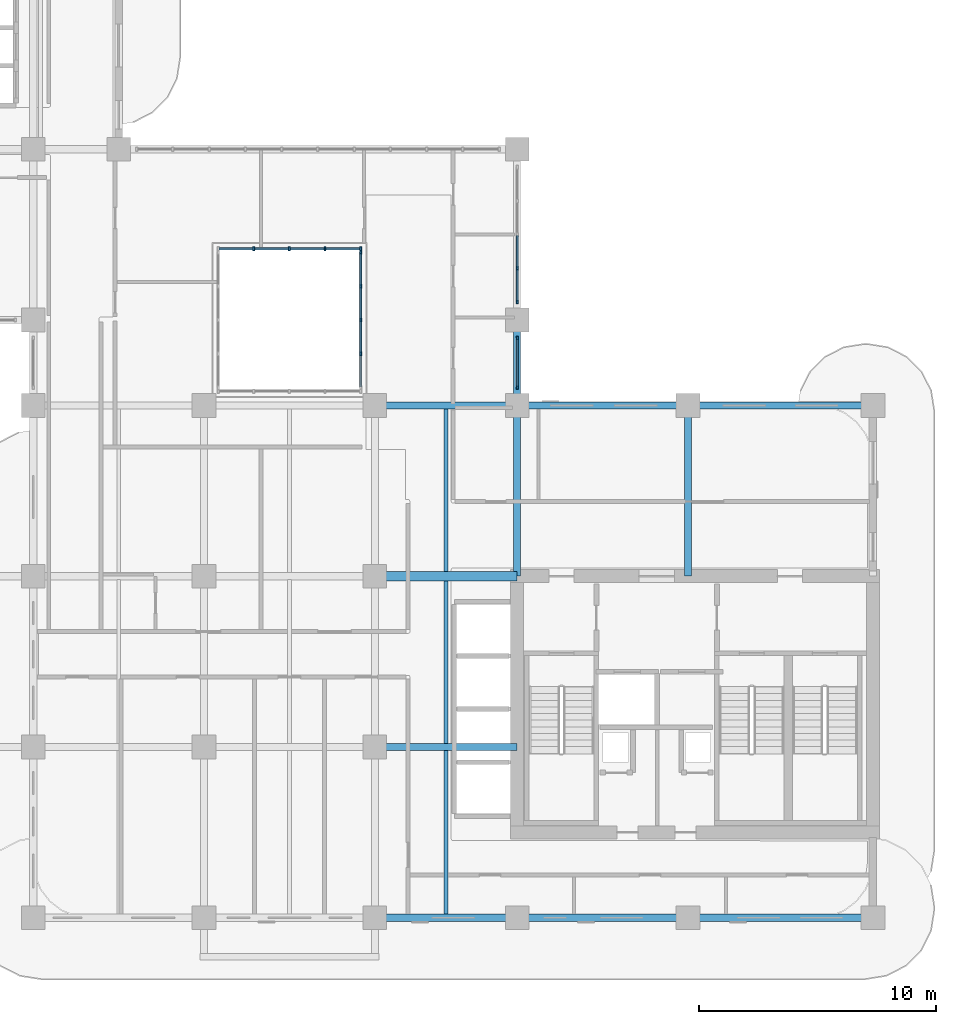
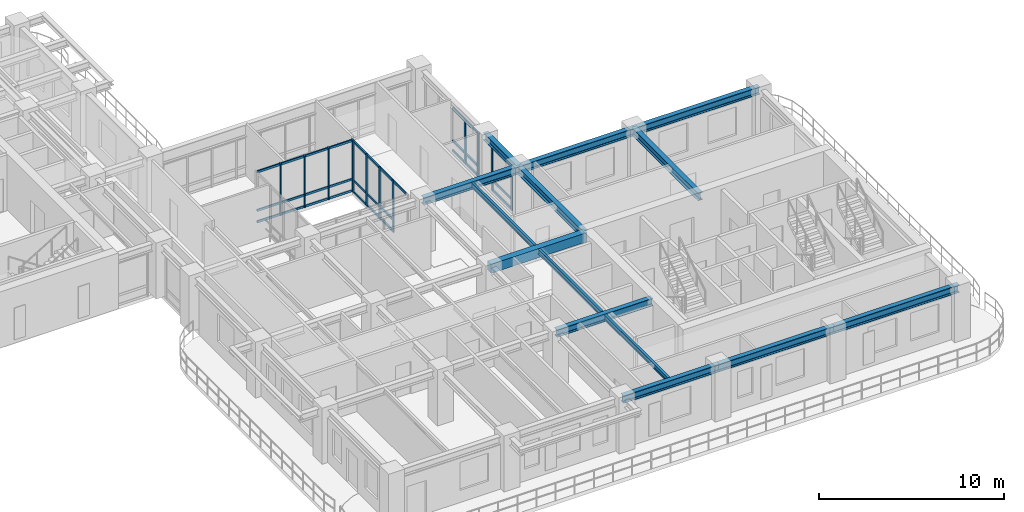
# One storey, part 3 of 20: 43 members, 14 beams, 4 elements without a shape of their own.
"""IFC4 building model written with IfcOpenShell, lengths in metres."""

from ifc_helpers import new_model, si_unit, derived_unit, direction, frame, origin, origin_2d, place, context, subcontext, project, spatial, rectangle, i_section, extrude, source, transform, mapped, material, layer, layer_set, material_profile, profile_set, type_object, type_shapes, element, aggregate, save


model = new_model("IFC4")

# Units and contexts
model_context = context("Model", 3, precision=1e-05, world=origin(), true_north=direction((0.0, 1.0)))
body_context = subcontext(model_context, "Body", "Model", "MODEL_VIEW")
ifc_project = project(units=[si_unit("LENGTHUNIT", "METRE"), si_unit("AREAUNIT", "SQUARE_METRE"), si_unit("VOLUMEUNIT", "CUBIC_METRE"), si_unit("PLANEANGLEUNIT", "RADIAN"), si_unit("MASSUNIT", "GRAM", prefix="KILO"), si_unit("THERMODYNAMICTEMPERATUREUNIT", "KELVIN"), si_unit("POWERUNIT", "WATT"), derived_unit("THERMALTRANSMITTANCEUNIT", [(si_unit("POWERUNIT", "WATT"), 1), (si_unit("AREAUNIT", "SQUARE_METRE"), -1), (si_unit("THERMODYNAMICTEMPERATUREUNIT", "KELVIN"), -1)])], contexts=[model_context])

# Site, building, storey
site_placement = place(None, origin())
site = spatial("IfcSite", under=ifc_project, at=site_placement, CompositionType="ELEMENT")
building_placement = place(site_placement, origin())
building = spatial("IfcBuilding", under=site, at=building_placement, Name="Zahravan Archway Hotel and Residences", CompositionType="ELEMENT")
storey_placement = place(building_placement, frame((0.0, 0.0, 137.699951171875)))
storey = spatial("IfcBuildingStorey", under=building, at=storey_placement, Name="L34", CompositionType="ELEMENT", Elevation=137.699951171875)

# Beams
ifc_material_1 = material(Name="Concrete C60/75", Category="concrete")
ifc_material_profile_1 = material_profile(ifc_material_1, rectangle(XDim=0.39990234375, YDim=0.60009765625, at=origin_2d()), Name="RC-LNT-400x600", Category="concrete")
ifc_profile_set_1 = profile_set([ifc_material_profile_1], Name="Concrete C60/75")
beam_type_1 = type_object("IfcBeamType", Name="LNT-RC-400x600", PredefinedType="LINTEL", material=ifc_profile_set_1)
shared_shape_1 = source(origin(), body_context, "Body", "SweptSolid", [
    extrude(rectangle(XDim=0.39990234375, YDim=0.60009765625, at=origin_2d()), origin(), (0.0, 0.0, 1.0), 6.0),
])
type_shapes(beam_type_1, [shared_shape_1])
beam_1_placement = place(storey_placement, frame((28.800048828125, 14.39990234375, 3.150146484375), z_axis=(1.0, 0.0, 0.0), x_axis=(0.0, 1.0, 0.0)))
element("IfcBeam", 1, at=beam_1_placement, inside=storey, type_object=beam_type_1, Name="L34 Core A Coupling Lintel Beam", PredefinedType="LINTEL", context=body_context, shape_type="MappedRepresentation", body=[
    mapped(shared_shape_1, transform((0.0, 0.0, 0.0), scale=1.0)),
])
ifc_material_2 = material(Name="Structural Steel S355JR", Category="steel")
ifc_material_profile_2 = material_profile(ifc_material_2, i_section(OverallWidth=0.300048828125, OverallDepth=0.5, WebThickness=0.014404296875, FlangeThickness=0.028076171875, FilletRadius=0.027099609375, at=origin_2d()), Name="HEB 500", Category="steel")
ifc_profile_set_2 = profile_set([ifc_material_profile_2], Name="Structural Steel S355JR")
beam_type_2 = type_object("IfcBeamType", Name="BM-PRI-HEB500", PredefinedType="BEAM", material=ifc_profile_set_2)
shared_shape_2 = source(origin(), body_context, "Body", "SweptSolid", [
    extrude(i_section(OverallWidth=0.300048828125, OverallDepth=0.5, WebThickness=0.014404296875, FlangeThickness=0.028076171875, FilletRadius=0.027099609375, at=origin_2d()), origin(), (0.0, 0.0, 1.0), 7.2001953125),
])
type_shapes(beam_type_2, [shared_shape_2])
for number, where, z_axis, x_axis, name in (
    (2, (34.800048828125, 14.39990234375, 3.199951171875), (0.0, 1.0, 0.0), (-1.0, 0.0, 0.0), "L34 Primary Girder NS-41"),
    (3, (42.0, 14.39990234375, 3.199951171875), (0.0, 1.0, 0.0), (-1.0, 0.0, 0.0), "L34 Primary Girder NS-44"),
):
    element("IfcBeam", number, at=place(storey_placement, frame(where, z_axis=z_axis, x_axis=x_axis)), inside=storey, type_object=beam_type_2, Name=name, PredefinedType="BEAM", context=body_context, shape_type="MappedRepresentation", body=[
        mapped(shared_shape_2, transform((0.0, 0.0, 0.0), scale=1.0)),
    ])
shared_shape_3 = source(origin(), body_context, "Body", "SweptSolid", [
    extrude(i_section(OverallWidth=0.300048828125, OverallDepth=0.5, WebThickness=0.014404296875, FlangeThickness=0.028076171875, FilletRadius=0.027099609375, at=origin_2d()), origin(), (0.0, 0.0, 1.0), 7.199951171875),
])
for number, where, z_axis, x_axis, name in (
    (4, (34.800048828125, 0.0, 3.199951171875), (1.0, 0.0, 0.0), (0.0, 1.0, 0.0), "L34 Primary Girder EW-04"),
    (5, (34.800048828125, 21.60009765625, 3.199951171875), (1.0, 0.0, 0.0), (0.0, 1.0, 0.0), "L34 Primary Girder EW-14"),
):
    element("IfcBeam", number, at=place(storey_placement, frame(where, z_axis=z_axis, x_axis=x_axis)), inside=storey, type_object=beam_type_2, Name=name, PredefinedType="BEAM", context=body_context, shape_type="MappedRepresentation", body=[
        mapped(shared_shape_3, transform((0.0, 0.0, 0.0), scale=1.0)),
    ])
shared_shape_4 = source(origin(), body_context, "Body", "SweptSolid", [
    extrude(i_section(OverallWidth=0.300048828125, OverallDepth=0.5, WebThickness=0.014404296875, FlangeThickness=0.028076171875, FilletRadius=0.027099609375, at=origin_2d()), origin(), (0.0, 0.0, 1.0), 6.0),
])
for number, where, z_axis, x_axis, name in (
    (6, (28.800048828125, 0.0, 3.199951171875), (1.0, 0.0, 0.0), (0.0, 1.0, 0.0), "L34 Primary Girder EW-03"),
    (7, (28.800048828125, 7.199951171875, 3.199951171875), (1.0, 0.0, 0.0), (0.0, 1.0, 0.0), "L34 Primary Girder EW-08"),
    (8, (28.800048828125, 21.60009765625, 3.199951171875), (1.0, 0.0, 0.0), (0.0, 1.0, 0.0), "L34 Primary Girder EW-13"),
):
    element("IfcBeam", number, at=place(storey_placement, frame(where, z_axis=z_axis, x_axis=x_axis)), inside=storey, type_object=beam_type_2, Name=name, PredefinedType="BEAM", context=body_context, shape_type="MappedRepresentation", body=[
        mapped(shared_shape_4, transform((0.0, 0.0, 0.0), scale=1.0)),
    ])
shared_shape_5 = source(origin(), body_context, "Body", "SweptSolid", [
    extrude(i_section(OverallWidth=0.300048828125, OverallDepth=0.5, WebThickness=0.014404296875, FlangeThickness=0.028076171875, FilletRadius=0.027099609375, at=origin_2d()), origin(), (0.0, 0.0, 1.0), 7.800048828125),
])
for number, where, z_axis, x_axis, name in (
    (9, (42.0, 0.0, 3.199951171875), (1.0, 0.0, 0.0), (0.0, 1.0, 0.0), "L34 Primary Girder EW-05"),
    (10, (42.0, 21.60009765625, 3.199951171875), (1.0, 0.0, 0.0), (0.0, 1.0, 0.0), "L34 Primary Girder EW-15"),
):
    element("IfcBeam", number, at=place(storey_placement, frame(where, z_axis=z_axis, x_axis=x_axis)), inside=storey, type_object=beam_type_2, Name=name, PredefinedType="BEAM", context=body_context, shape_type="MappedRepresentation", body=[
        mapped(shared_shape_5, transform((0.0, 0.0, 0.0), scale=1.0)),
    ])
shared_shape_6 = source(origin(), body_context, "Body", "SweptSolid", [
    extrude(i_section(OverallWidth=0.300048828125, OverallDepth=0.5, WebThickness=0.014404296875, FlangeThickness=0.028076171875, FilletRadius=0.027099609375, at=origin_2d()), origin(), (0.0, 0.0, 1.0), 3.599853515625),
])
beam_2_placement = place(storey_placement, frame((34.800048828125, 21.60009765625, 3.199951171875), z_axis=(0.0, 1.0, 0.0), x_axis=(-1.0, 0.0, 0.0)))
element("IfcBeam", 11, at=beam_2_placement, inside=storey, type_object=beam_type_2, Name="L34 Primary Girder NS-42", PredefinedType="BEAM", context=body_context, shape_type="MappedRepresentation", body=[
    mapped(shared_shape_6, transform((0.0, 0.0, 0.0), scale=1.0)),
])
ifc_material_profile_3 = material_profile(ifc_material_2, i_section(OverallWidth=0.159912109375, OverallDepth=0.330078125, WebThickness=0.007568359375, FlangeThickness=0.011474609375, FilletRadius=0.01806640625, at=origin_2d()), Name="IPE 330", Category="steel")
ifc_profile_set_3 = profile_set([ifc_material_profile_3], Name="Structural Steel S355JR")
beam_type_3 = type_object("IfcBeamType", Name="BM-JST-IPE330", PredefinedType="JOIST", material=ifc_profile_set_3)
shared_shape_7 = source(origin(), body_context, "Body", "SweptSolid", [
    extrude(i_section(OverallWidth=0.159912109375, OverallDepth=0.330078125, WebThickness=0.007568359375, FlangeThickness=0.011474609375, FilletRadius=0.01806640625, at=origin_2d()), origin(), (0.0, 0.0, 1.0), 6.904052734375),
])
type_shapes(beam_type_3, [shared_shape_7])
beam_3_placement = place(storey_placement, frame((31.800048828125, 0.14794921875, 3.28515625), z_axis=(0.0, 1.0, 0.0), x_axis=(-1.0, 0.0, 0.0)))
element("IfcBeam", 12, at=beam_3_placement, inside=storey, type_object=beam_type_3, Name="L34 Composite Floor Joist 03", PredefinedType="JOIST", context=body_context, shape_type="MappedRepresentation", body=[
    mapped(shared_shape_7, transform((0.0, 0.0, 0.0), scale=1.0)),
])
shared_shape_8 = source(origin(), body_context, "Body", "SweptSolid", [
    extrude(i_section(OverallWidth=0.159912109375, OverallDepth=0.330078125, WebThickness=0.007568359375, FlangeThickness=0.011474609375, FilletRadius=0.01806640625, at=origin_2d()), origin(), (0.0, 0.0, 1.0), 6.85400390625),
])
for number, where, z_axis, x_axis, name in (
    (13, (31.800048828125, 7.347900390625, 3.28515625), (0.0, 1.0, 0.0), (-1.0, 0.0, 0.0), "L34 Composite Floor Joist 06"),
    (14, (31.800048828125, 14.597900390625, 3.28515625), (0.0, 1.0, 0.0), (-1.0, 0.0, 0.0), "L34 Composite Floor Joist 07"),
):
    element("IfcBeam", number, at=place(storey_placement, frame(where, z_axis=z_axis, x_axis=x_axis)), inside=storey, type_object=beam_type_3, Name=name, PredefinedType="JOIST", context=body_context, shape_type="MappedRepresentation", body=[
        mapped(shared_shape_8, transform((0.0, 0.0, 0.0), scale=1.0)),
    ])

# Curtain wall, members
ifc_material_3 = material(Name="Bronze-Anodized Unitised Aluminium & Low-E Glass", Category="aluminium")
ifc_layer = layer(ifc_material_3, 0.179931640625, Name="Bronze-Anodized Unitised Aluminium & Low-E Glass", Category="aluminium")
ifc_layer_set = layer_set([ifc_layer], Name="Bronze-Anodized Unitised Aluminium & Low-E Glass")
curtain_wall_type = type_object("IfcCurtainWallType", Name="CW-ATR-GLAZ", PredefinedType="NOTDEFINED", material=ifc_layer_set)
curtain_wall_1_placement = place(storey_placement, origin())
curtain_wall_1 = element("IfcCurtainWall", 15, at=curtain_wall_1_placement, inside=storey, type_object=curtain_wall_type, Name="L34 Curtain Wall CW-L34-HNG-E-2", PredefinedType="NOTDEFINED")
ifc_material_4 = material(Name="Bronze-Anodized Extruded Aluminium", Category="aluminium")
ifc_material_profile_4 = material_profile(ifc_material_4, rectangle(XDim=0.080078125, YDim=0.139892578125, at=origin_2d()), Name="TRN 80x140", Category="aluminium")
ifc_profile_set_4 = profile_set([ifc_material_profile_4], Name="Bronze-Anodized Extruded Aluminium")
member_type_1 = type_object("IfcMemberType", Name="CWM-TRN-140", PredefinedType="USERDEFINED", material=ifc_profile_set_4)
shared_shape_9 = source(origin(), body_context, "Body", "SweptSolid", [
    extrude(rectangle(XDim=0.080078125, YDim=0.139892578125, at=origin_2d()), origin(), (0.0, 0.0, 1.0), 1.340087890625),
])
member_1_placement = place(storey_placement, frame((34.800048828125, 26.0, 0.070068359375), z_axis=(0.0, 1.0, 0.0), x_axis=(-1.0, 0.0, 0.0)))
member_1 = element("IfcMember", 16, at=member_1_placement, type_object=member_type_1, Name="CW-L34-HNG-E-2 Transom 0-1", ObjectType="TRANSOM", PredefinedType="USERDEFINED", context=body_context, shape_type="MappedRepresentation", body=[
    mapped(shared_shape_9, transform((0.0, 0.0, 0.0), scale=1.0)),
])
member_2_placement = place(storey_placement, frame((34.800048828125, 26.0, 0.704345703125), z_axis=(0.0, 1.0, 0.0), x_axis=(-1.0, 0.0, 0.0)))
member_2 = element("IfcMember", 17, at=member_2_placement, type_object=member_type_1, Name="CW-L34-HNG-E-2 Transom 0-2", ObjectType="TRANSOM", PredefinedType="USERDEFINED", context=body_context, shape_type="MappedRepresentation", body=[
    mapped(shared_shape_9, transform((0.0, 0.0, 0.0), scale=1.0)),
])
member_3_placement = place(storey_placement, frame((34.800048828125, 26.0, 2.864990234375), z_axis=(0.0, 1.0, 0.0), x_axis=(-1.0, 0.0, 0.0)))
member_3 = element("IfcMember", 18, at=member_3_placement, type_object=member_type_1, Name="CW-L34-HNG-E-2 Transom 0-3", ObjectType="TRANSOM", PredefinedType="USERDEFINED", context=body_context, shape_type="MappedRepresentation", body=[
    mapped(shared_shape_9, transform((0.0, 0.0, 0.0), scale=1.0)),
])
member_4_placement = place(storey_placement, frame((34.800048828125, 27.419921875, 0.070068359375), z_axis=(0.0, 1.0, 0.0), x_axis=(-1.0, 0.0, 0.0)))
member_4 = element("IfcMember", 19, at=member_4_placement, type_object=member_type_1, Name="CW-L34-HNG-E-2 Transom 1-1", ObjectType="TRANSOM", PredefinedType="USERDEFINED", context=body_context, shape_type="MappedRepresentation", body=[
    mapped(shared_shape_9, transform((0.0, 0.0, 0.0), scale=1.0)),
])
member_5_placement = place(storey_placement, frame((34.800048828125, 27.419921875, 0.704345703125), z_axis=(0.0, 1.0, 0.0), x_axis=(-1.0, 0.0, 0.0)))
member_5 = element("IfcMember", 20, at=member_5_placement, type_object=member_type_1, Name="CW-L34-HNG-E-2 Transom 1-2", ObjectType="TRANSOM", PredefinedType="USERDEFINED", context=body_context, shape_type="MappedRepresentation", body=[
    mapped(shared_shape_9, transform((0.0, 0.0, 0.0), scale=1.0)),
])
member_6_placement = place(storey_placement, frame((34.800048828125, 27.419921875, 2.864990234375), z_axis=(0.0, 1.0, 0.0), x_axis=(-1.0, 0.0, 0.0)))
member_6 = element("IfcMember", 21, at=member_6_placement, type_object=member_type_1, Name="CW-L34-HNG-E-2 Transom 1-3", ObjectType="TRANSOM", PredefinedType="USERDEFINED", context=body_context, shape_type="MappedRepresentation", body=[
    mapped(shared_shape_9, transform((0.0, 0.0, 0.0), scale=1.0)),
])

curtain_wall_2_placement = place(storey_placement, origin())
curtain_wall_2 = element("IfcCurtainWall", 22, at=curtain_wall_2_placement, inside=storey, type_object=curtain_wall_type, Name="L34 Curtain Wall CW-L34-HNG-E-1", PredefinedType="NOTDEFINED")
shared_shape_10 = source(origin(), body_context, "Body", "SweptSolid", [
    extrude(rectangle(XDim=0.080078125, YDim=0.139892578125, at=origin_2d()), origin(), (0.0, 0.0, 1.0), 2.0),
])
member_7_placement = place(storey_placement, frame((34.800048828125, 22.39990234375, 0.070068359375), z_axis=(0.0, 1.0, 0.0), x_axis=(-1.0, 0.0, 0.0)))
member_7 = element("IfcMember", 23, at=member_7_placement, type_object=member_type_1, Name="CW-L34-HNG-E-1 Transom 0-1", ObjectType="TRANSOM", PredefinedType="USERDEFINED", context=body_context, shape_type="MappedRepresentation", body=[
    mapped(shared_shape_10, transform((0.0, 0.0, 0.0), scale=1.0)),
])
member_8_placement = place(storey_placement, frame((34.800048828125, 22.39990234375, 0.704345703125), z_axis=(0.0, 1.0, 0.0), x_axis=(-1.0, 0.0, 0.0)))
member_8 = element("IfcMember", 24, at=member_8_placement, type_object=member_type_1, Name="CW-L34-HNG-E-1 Transom 0-2", ObjectType="TRANSOM", PredefinedType="USERDEFINED", context=body_context, shape_type="MappedRepresentation", body=[
    mapped(shared_shape_10, transform((0.0, 0.0, 0.0), scale=1.0)),
])
member_9_placement = place(storey_placement, frame((34.800048828125, 22.39990234375, 2.864990234375), z_axis=(0.0, 1.0, 0.0), x_axis=(-1.0, 0.0, 0.0)))
member_9 = element("IfcMember", 25, at=member_9_placement, type_object=member_type_1, Name="CW-L34-HNG-E-1 Transom 0-3", ObjectType="TRANSOM", PredefinedType="USERDEFINED", context=body_context, shape_type="MappedRepresentation", body=[
    mapped(shared_shape_10, transform((0.0, 0.0, 0.0), scale=1.0)),
])

curtain_wall_3_placement = place(storey_placement, origin())
curtain_wall_3 = element("IfcCurtainWall", 26, at=curtain_wall_3_placement, inside=storey, type_object=curtain_wall_type, Name="L34 Curtain Wall CW-ATR-L34-N-1", PredefinedType="NOTDEFINED")
ifc_material_profile_5 = material_profile(ifc_material_4, rectangle(XDim=0.080078125, YDim=0.159912109375, at=origin_2d()), Name="MUL 80x160", Category="aluminium")
ifc_profile_set_5 = profile_set([ifc_material_profile_5], Name="Bronze-Anodized Extruded Aluminium")
member_type_2 = type_object("IfcMemberType", Name="CWM-MUL-160", PredefinedType="MULLION", material=ifc_profile_set_5)
shared_shape_11 = source(origin(), body_context, "Body", "SweptSolid", [
    extrude(rectangle(XDim=0.080078125, YDim=0.159912109375, at=origin_2d()), origin(), (0.0, 0.0, 1.0), 3.449951171875),
])
member_10_placement = place(storey_placement, frame((23.699951171875, 28.199951171875, 0.0), z_axis=(0.0, 0.0, 1.0), x_axis=(1.0, 0.0, 0.0)))
member_10 = element("IfcMember", 27, at=member_10_placement, type_object=member_type_2, Name="CW-ATR-L34-N-1 Mullion 1", PredefinedType="MULLION", context=body_context, shape_type="MappedRepresentation", body=[
    mapped(shared_shape_11, transform((0.0, 0.0, 0.0), scale=1.0)),
])
member_11_placement = place(storey_placement, frame((25.199951171875, 28.199951171875, 0.0), z_axis=(0.0, 0.0, 1.0), x_axis=(1.0, 0.0, 0.0)))
member_11 = element("IfcMember", 28, at=member_11_placement, type_object=member_type_2, Name="CW-ATR-L34-N-1 Mullion 2", PredefinedType="MULLION", context=body_context, shape_type="MappedRepresentation", body=[
    mapped(shared_shape_11, transform((0.0, 0.0, 0.0), scale=1.0)),
])
member_12_placement = place(storey_placement, frame((26.699951171875, 28.199951171875, 0.0), z_axis=(0.0, 0.0, 1.0), x_axis=(1.0, 0.0, 0.0)))
member_12 = element("IfcMember", 29, at=member_12_placement, type_object=member_type_2, Name="CW-ATR-L34-N-1 Mullion 3", PredefinedType="MULLION", context=body_context, shape_type="MappedRepresentation", body=[
    mapped(shared_shape_11, transform((0.0, 0.0, 0.0), scale=1.0)),
])
member_13_placement = place(storey_placement, frame((28.199951171875, 28.199951171875, 0.0), z_axis=(0.0, 0.0, 1.0), x_axis=(1.0, 0.0, 0.0)))
member_13 = element("IfcMember", 30, at=member_13_placement, type_object=member_type_2, Name="CW-ATR-L34-N-1 Mullion 4", PredefinedType="MULLION", context=body_context, shape_type="MappedRepresentation", body=[
    mapped(shared_shape_11, transform((0.0, 0.0, 0.0), scale=1.0)),
])

curtain_wall_4_placement = place(storey_placement, origin())
curtain_wall_4 = element("IfcCurtainWall", 31, at=curtain_wall_4_placement, inside=storey, type_object=curtain_wall_type, Name="L34 Curtain Wall CW-ATR-L34-E-1", PredefinedType="NOTDEFINED")
member_14_placement = place(storey_placement, frame((28.199951171875, 23.77490234375, 0.0), z_axis=(0.0, 0.0, 1.0), x_axis=(1.0, 0.0, 0.0)))
member_14 = element("IfcMember", 32, at=member_14_placement, type_object=member_type_2, Name="CW-ATR-L34-E-1 Mullion 1", PredefinedType="MULLION", context=body_context, shape_type="MappedRepresentation", body=[
    mapped(shared_shape_11, transform((0.0, 0.0, 0.0), scale=1.0)),
])
member_15_placement = place(storey_placement, frame((28.199951171875, 25.199951171875, 0.0), z_axis=(0.0, 0.0, 1.0), x_axis=(1.0, 0.0, 0.0)))
member_15 = element("IfcMember", 33, at=member_15_placement, type_object=member_type_2, Name="CW-ATR-L34-E-1 Mullion 2", PredefinedType="MULLION", context=body_context, shape_type="MappedRepresentation", body=[
    mapped(shared_shape_11, transform((0.0, 0.0, 0.0), scale=1.0)),
])
member_16_placement = place(storey_placement, frame((28.199951171875, 26.625, 0.0), z_axis=(0.0, 0.0, 1.0), x_axis=(1.0, 0.0, 0.0)))
member_16 = element("IfcMember", 34, at=member_16_placement, type_object=member_type_2, Name="CW-ATR-L34-E-1 Mullion 3", PredefinedType="MULLION", context=body_context, shape_type="MappedRepresentation", body=[
    mapped(shared_shape_11, transform((0.0, 0.0, 0.0), scale=1.0)),
])
member_17_placement = place(storey_placement, frame((28.199951171875, 28.050048828125, 0.0), z_axis=(0.0, 0.0, 1.0), x_axis=(1.0, 0.0, 0.0)))
member_17 = element("IfcMember", 35, at=member_17_placement, type_object=member_type_2, Name="CW-ATR-L34-E-1 Mullion 4", PredefinedType="MULLION", context=body_context, shape_type="MappedRepresentation", body=[
    mapped(shared_shape_11, transform((0.0, 0.0, 0.0), scale=1.0)),
])

# Member
shared_shape_12 = source(origin(), body_context, "Body", "SweptSolid", [
    extrude(rectangle(XDim=0.080078125, YDim=0.139892578125, at=origin_2d()), origin(), (0.0, 0.0, 1.0), 1.419921875),
])
member_18_placement = place(storey_placement, frame((22.239990234375, 28.199951171875, 0.070068359375), z_axis=(1.0, 0.0, 0.0), x_axis=(0.0, 1.0, 0.0)))
member_18 = element("IfcMember", 36, at=member_18_placement, type_object=member_type_1, Name="CW-ATR-L34-N-1 Transom 0-1", ObjectType="TRANSOM", PredefinedType="USERDEFINED", context=body_context, shape_type="MappedRepresentation", body=[
    mapped(shared_shape_12, transform((0.0, 0.0, 0.0), scale=1.0)),
])

member_19_placement = place(storey_placement, frame((22.239990234375, 28.199951171875, 0.828125), z_axis=(1.0, 0.0, 0.0), x_axis=(0.0, 1.0, 0.0)))
member_19 = element("IfcMember", 37, at=member_19_placement, type_object=member_type_1, Name="CW-ATR-L34-N-1 Transom 0-2", ObjectType="TRANSOM", PredefinedType="USERDEFINED", context=body_context, shape_type="MappedRepresentation", body=[
    mapped(shared_shape_12, transform((0.0, 0.0, 0.0), scale=1.0)),
])

member_20_placement = place(storey_placement, frame((22.239990234375, 28.199951171875, 3.380126953125), z_axis=(1.0, 0.0, 0.0), x_axis=(0.0, 1.0, 0.0)))
member_20 = element("IfcMember", 38, at=member_20_placement, type_object=member_type_1, Name="CW-ATR-L34-N-1 Transom 0-3", ObjectType="TRANSOM", PredefinedType="USERDEFINED", context=body_context, shape_type="MappedRepresentation", body=[
    mapped(shared_shape_12, transform((0.0, 0.0, 0.0), scale=1.0)),
])

member_21_placement = place(storey_placement, frame((23.739990234375, 28.199951171875, 0.070068359375), z_axis=(1.0, 0.0, 0.0), x_axis=(0.0, 1.0, 0.0)))
member_21 = element("IfcMember", 39, at=member_21_placement, type_object=member_type_1, Name="CW-ATR-L34-N-1 Transom 1-1", ObjectType="TRANSOM", PredefinedType="USERDEFINED", context=body_context, shape_type="MappedRepresentation", body=[
    mapped(shared_shape_12, transform((0.0, 0.0, 0.0), scale=1.0)),
])

member_22_placement = place(storey_placement, frame((23.739990234375, 28.199951171875, 0.828125), z_axis=(1.0, 0.0, 0.0), x_axis=(0.0, 1.0, 0.0)))
member_22 = element("IfcMember", 40, at=member_22_placement, type_object=member_type_1, Name="CW-ATR-L34-N-1 Transom 1-2", ObjectType="TRANSOM", PredefinedType="USERDEFINED", context=body_context, shape_type="MappedRepresentation", body=[
    mapped(shared_shape_12, transform((0.0, 0.0, 0.0), scale=1.0)),
])

member_23_placement = place(storey_placement, frame((23.739990234375, 28.199951171875, 3.380126953125), z_axis=(1.0, 0.0, 0.0), x_axis=(0.0, 1.0, 0.0)))
member_23 = element("IfcMember", 41, at=member_23_placement, type_object=member_type_1, Name="CW-ATR-L34-N-1 Transom 1-3", ObjectType="TRANSOM", PredefinedType="USERDEFINED", context=body_context, shape_type="MappedRepresentation", body=[
    mapped(shared_shape_12, transform((0.0, 0.0, 0.0), scale=1.0)),
])

member_24_placement = place(storey_placement, frame((25.239990234375, 28.199951171875, 0.070068359375), z_axis=(1.0, 0.0, 0.0), x_axis=(0.0, 1.0, 0.0)))
member_24 = element("IfcMember", 42, at=member_24_placement, type_object=member_type_1, Name="CW-ATR-L34-N-1 Transom 2-1", ObjectType="TRANSOM", PredefinedType="USERDEFINED", context=body_context, shape_type="MappedRepresentation", body=[
    mapped(shared_shape_12, transform((0.0, 0.0, 0.0), scale=1.0)),
])

member_25_placement = place(storey_placement, frame((25.239990234375, 28.199951171875, 0.828125), z_axis=(1.0, 0.0, 0.0), x_axis=(0.0, 1.0, 0.0)))
member_25 = element("IfcMember", 43, at=member_25_placement, type_object=member_type_1, Name="CW-ATR-L34-N-1 Transom 2-2", ObjectType="TRANSOM", PredefinedType="USERDEFINED", context=body_context, shape_type="MappedRepresentation", body=[
    mapped(shared_shape_12, transform((0.0, 0.0, 0.0), scale=1.0)),
])

member_26_placement = place(storey_placement, frame((25.239990234375, 28.199951171875, 3.380126953125), z_axis=(1.0, 0.0, 0.0), x_axis=(0.0, 1.0, 0.0)))
member_26 = element("IfcMember", 44, at=member_26_placement, type_object=member_type_1, Name="CW-ATR-L34-N-1 Transom 2-3", ObjectType="TRANSOM", PredefinedType="USERDEFINED", context=body_context, shape_type="MappedRepresentation", body=[
    mapped(shared_shape_12, transform((0.0, 0.0, 0.0), scale=1.0)),
])

member_27_placement = place(storey_placement, frame((26.739990234375, 28.199951171875, 0.070068359375), z_axis=(1.0, 0.0, 0.0), x_axis=(0.0, 1.0, 0.0)))
member_27 = element("IfcMember", 45, at=member_27_placement, type_object=member_type_1, Name="CW-ATR-L34-N-1 Transom 3-1", ObjectType="TRANSOM", PredefinedType="USERDEFINED", context=body_context, shape_type="MappedRepresentation", body=[
    mapped(shared_shape_12, transform((0.0, 0.0, 0.0), scale=1.0)),
])

member_28_placement = place(storey_placement, frame((26.739990234375, 28.199951171875, 0.828125), z_axis=(1.0, 0.0, 0.0), x_axis=(0.0, 1.0, 0.0)))
member_28 = element("IfcMember", 46, at=member_28_placement, type_object=member_type_1, Name="CW-ATR-L34-N-1 Transom 3-2", ObjectType="TRANSOM", PredefinedType="USERDEFINED", context=body_context, shape_type="MappedRepresentation", body=[
    mapped(shared_shape_12, transform((0.0, 0.0, 0.0), scale=1.0)),
])

member_29_placement = place(storey_placement, frame((26.739990234375, 28.199951171875, 3.380126953125), z_axis=(1.0, 0.0, 0.0), x_axis=(0.0, 1.0, 0.0)))
member_29 = element("IfcMember", 47, at=member_29_placement, type_object=member_type_1, Name="CW-ATR-L34-N-1 Transom 3-3", ObjectType="TRANSOM", PredefinedType="USERDEFINED", context=body_context, shape_type="MappedRepresentation", body=[
    mapped(shared_shape_12, transform((0.0, 0.0, 0.0), scale=1.0)),
])

aggregate(curtain_wall_3, [member_10, member_11, member_12, member_13, member_18, member_19, member_20, member_21, member_22, member_23, member_24, member_25, member_26, member_27, member_28, member_29])

shared_shape_13 = source(origin(), body_context, "Body", "SweptSolid", [
    extrude(rectangle(XDim=0.080078125, YDim=0.139892578125, at=origin_2d()), origin(), (0.0, 0.0, 1.0), 1.34521484375),
])
member_30_placement = place(storey_placement, frame((28.199951171875, 22.389892578125, 3.380126953125), z_axis=(0.0, 1.0, 0.0), x_axis=(-1.0, 0.0, 0.0)))
member_30 = element("IfcMember", 48, at=member_30_placement, type_object=member_type_1, Name="CW-ATR-L34-E-1 Transom 0-3", ObjectType="TRANSOM", PredefinedType="USERDEFINED", context=body_context, shape_type="MappedRepresentation", body=[
    mapped(shared_shape_13, transform((0.0, 0.0, 0.0), scale=1.0)),
])

shared_shape_14 = source(origin(), body_context, "Body", "SweptSolid", [
    extrude(rectangle(XDim=0.080078125, YDim=0.139892578125, at=origin_2d()), origin(), (0.0, 0.0, 1.0), 1.344970703125),
])
member_31_placement = place(storey_placement, frame((28.199951171875, 23.81494140625, 0.070068359375), z_axis=(0.0, 1.0, 0.0), x_axis=(-1.0, 0.0, 0.0)))
member_31 = element("IfcMember", 49, at=member_31_placement, type_object=member_type_1, Name="CW-ATR-L34-E-1 Transom 1-1", ObjectType="TRANSOM", PredefinedType="USERDEFINED", context=body_context, shape_type="MappedRepresentation", body=[
    mapped(shared_shape_14, transform((0.0, 0.0, 0.0), scale=1.0)),
])

member_32_placement = place(storey_placement, frame((28.199951171875, 23.81494140625, 0.828125), z_axis=(0.0, 1.0, 0.0), x_axis=(-1.0, 0.0, 0.0)))
member_32 = element("IfcMember", 50, at=member_32_placement, type_object=member_type_1, Name="CW-ATR-L34-E-1 Transom 1-2", ObjectType="TRANSOM", PredefinedType="USERDEFINED", context=body_context, shape_type="MappedRepresentation", body=[
    mapped(shared_shape_14, transform((0.0, 0.0, 0.0), scale=1.0)),
])

member_33_placement = place(storey_placement, frame((28.199951171875, 23.81494140625, 3.380126953125), z_axis=(0.0, 1.0, 0.0), x_axis=(-1.0, 0.0, 0.0)))
member_33 = element("IfcMember", 51, at=member_33_placement, type_object=member_type_1, Name="CW-ATR-L34-E-1 Transom 1-3", ObjectType="TRANSOM", PredefinedType="USERDEFINED", context=body_context, shape_type="MappedRepresentation", body=[
    mapped(shared_shape_14, transform((0.0, 0.0, 0.0), scale=1.0)),
])

member_34_placement = place(storey_placement, frame((28.199951171875, 25.239990234375, 0.070068359375), z_axis=(0.0, 1.0, 0.0), x_axis=(-1.0, 0.0, 0.0)))
member_34 = element("IfcMember", 52, at=member_34_placement, type_object=member_type_1, Name="CW-ATR-L34-E-1 Transom 2-1", ObjectType="TRANSOM", PredefinedType="USERDEFINED", context=body_context, shape_type="MappedRepresentation", body=[
    mapped(shared_shape_14, transform((0.0, 0.0, 0.0), scale=1.0)),
])

member_35_placement = place(storey_placement, frame((28.199951171875, 25.239990234375, 0.828125), z_axis=(0.0, 1.0, 0.0), x_axis=(-1.0, 0.0, 0.0)))
member_35 = element("IfcMember", 53, at=member_35_placement, type_object=member_type_1, Name="CW-ATR-L34-E-1 Transom 2-2", ObjectType="TRANSOM", PredefinedType="USERDEFINED", context=body_context, shape_type="MappedRepresentation", body=[
    mapped(shared_shape_14, transform((0.0, 0.0, 0.0), scale=1.0)),
])

member_36_placement = place(storey_placement, frame((28.199951171875, 25.239990234375, 3.380126953125), z_axis=(0.0, 1.0, 0.0), x_axis=(-1.0, 0.0, 0.0)))
member_36 = element("IfcMember", 54, at=member_36_placement, type_object=member_type_1, Name="CW-ATR-L34-E-1 Transom 2-3", ObjectType="TRANSOM", PredefinedType="USERDEFINED", context=body_context, shape_type="MappedRepresentation", body=[
    mapped(shared_shape_14, transform((0.0, 0.0, 0.0), scale=1.0)),
])

member_37_placement = place(storey_placement, frame((28.199951171875, 26.6650390625, 0.070068359375), z_axis=(0.0, 1.0, 0.0), x_axis=(-1.0, 0.0, 0.0)))
member_37 = element("IfcMember", 55, at=member_37_placement, type_object=member_type_1, Name="CW-ATR-L34-E-1 Transom 3-1", ObjectType="TRANSOM", PredefinedType="USERDEFINED", context=body_context, shape_type="MappedRepresentation", body=[
    mapped(shared_shape_14, transform((0.0, 0.0, 0.0), scale=1.0)),
])

member_38_placement = place(storey_placement, frame((28.199951171875, 26.6650390625, 0.828125), z_axis=(0.0, 1.0, 0.0), x_axis=(-1.0, 0.0, 0.0)))
member_38 = element("IfcMember", 56, at=member_38_placement, type_object=member_type_1, Name="CW-ATR-L34-E-1 Transom 3-2", ObjectType="TRANSOM", PredefinedType="USERDEFINED", context=body_context, shape_type="MappedRepresentation", body=[
    mapped(shared_shape_14, transform((0.0, 0.0, 0.0), scale=1.0)),
])

member_39_placement = place(storey_placement, frame((28.199951171875, 26.6650390625, 3.380126953125), z_axis=(0.0, 1.0, 0.0), x_axis=(-1.0, 0.0, 0.0)))
member_39 = element("IfcMember", 57, at=member_39_placement, type_object=member_type_1, Name="CW-ATR-L34-E-1 Transom 3-3", ObjectType="TRANSOM", PredefinedType="USERDEFINED", context=body_context, shape_type="MappedRepresentation", body=[
    mapped(shared_shape_14, transform((0.0, 0.0, 0.0), scale=1.0)),
])

aggregate(curtain_wall_4, [member_14, member_15, member_16, member_17, member_30, member_31, member_32, member_33, member_34, member_35, member_36, member_37, member_38, member_39])

shared_shape_15 = source(origin(), body_context, "Body", "SweptSolid", [
    extrude(rectangle(XDim=0.080078125, YDim=0.159912109375, at=origin_2d()), origin(), (0.0, 0.0, 1.0), 2.93505859375),
])
member_40_placement = place(storey_placement, frame((34.800048828125, 22.360107421875, 0.0), z_axis=(0.0, 0.0, 1.0), x_axis=(1.0, 0.0, 0.0)))
member_40 = element("IfcMember", 58, at=member_40_placement, type_object=member_type_2, Name="CW-L34-HNG-E-1 Mullion 0", PredefinedType="MULLION", context=body_context, shape_type="MappedRepresentation", body=[
    mapped(shared_shape_15, transform((0.0, 0.0, 0.0), scale=1.0)),
])

member_41_placement = place(storey_placement, frame((34.800048828125, 24.43994140625, 0.0), z_axis=(0.0, 0.0, 1.0), x_axis=(1.0, 0.0, 0.0)))
member_41 = element("IfcMember", 59, at=member_41_placement, type_object=member_type_2, Name="CW-L34-HNG-E-1 Mullion 1", PredefinedType="MULLION", context=body_context, shape_type="MappedRepresentation", body=[
    mapped(shared_shape_15, transform((0.0, 0.0, 0.0), scale=1.0)),
])

aggregate(curtain_wall_2, [member_40, member_41, member_7, member_8, member_9])

member_42_placement = place(storey_placement, frame((34.800048828125, 25.9599609375, 0.0), z_axis=(0.0, 0.0, 1.0), x_axis=(1.0, 0.0, 0.0)))
member_42 = element("IfcMember", 60, at=member_42_placement, type_object=member_type_2, Name="CW-L34-HNG-E-2 Mullion 0", PredefinedType="MULLION", context=body_context, shape_type="MappedRepresentation", body=[
    mapped(shared_shape_15, transform((0.0, 0.0, 0.0), scale=1.0)),
])

member_43_placement = place(storey_placement, frame((34.800048828125, 27.3798828125, 0.0), z_axis=(0.0, 0.0, 1.0), x_axis=(1.0, 0.0, 0.0)))
member_43 = element("IfcMember", 61, at=member_43_placement, type_object=member_type_2, Name="CW-L34-HNG-E-2 Mullion 1", PredefinedType="MULLION", context=body_context, shape_type="MappedRepresentation", body=[
    mapped(shared_shape_15, transform((0.0, 0.0, 0.0), scale=1.0)),
])

aggregate(curtain_wall_1, [member_42, member_43, member_1, member_2, member_3, member_4, member_5, member_6])

save(model, "model.ifc")
